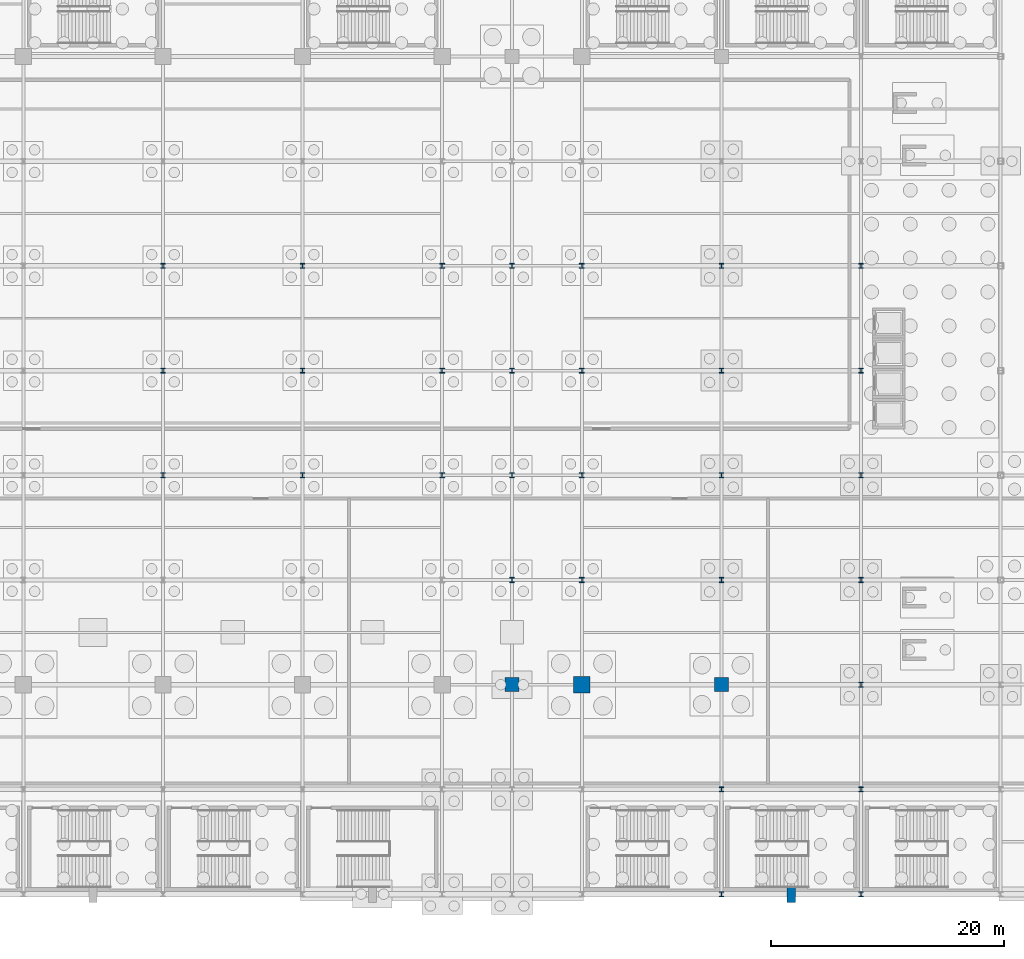
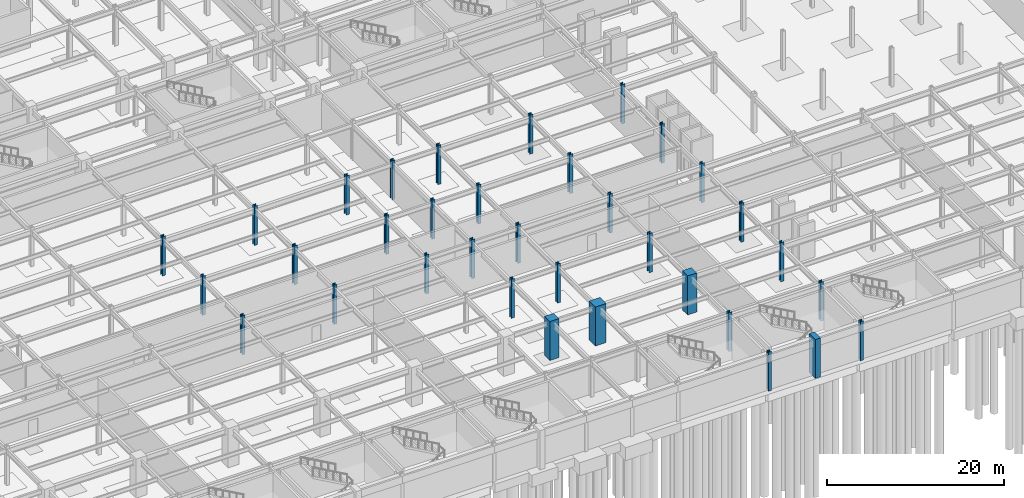
# One storey, part 12 of 47: 34 columns.
"""IFC4 building model written with IfcOpenShell, lengths in metres."""

import ifcopenshell
import ifcopenshell.guid

model = None  # the IFC model being written
_history = None  # IfcOwnerHistory: only IFC2X3 demands one
_inside = {}  # id of a spatial element -> (the spatial element, [elements in it])
_under = {}  # id of a project, library or spatial element -> (it, [spatial elements below it])
_declared = {}  # id of a project -> (the project, [libraries it declares])
_typed = {}  # id of a type object -> (the type object, [elements of that type])
_made_of = {}  # id of a material, layer set ... -> (it, [elements and type objects made of it])


def new_model(schema):
    """Start an empty IFC model of exactly this schema.

    Asked for "IFC4X3", IfcOpenShell would pick the latest addendum, in which some entities
    have other attributes; the version numbers below select the first issue.
    IFC2X3 requires an IfcOwnerHistory on every rooted entity: one is made here for all.
    """
    global model, _history
    if schema == "IFC4X3":
        model = ifcopenshell.file(schema_version=(4, 3, 0, 0))
    else:
        model = ifcopenshell.file(schema=schema)
    _inside.clear()
    _under.clear()
    _declared.clear()
    _typed.clear()
    _made_of.clear()
    _history = None
    if model.schema == "IFC2X3":
        org = make("IfcOrganization", Name="unknown")
        user = make(
            "IfcPersonAndOrganization",
            ThePerson=make("IfcPerson", FamilyName="unknown"),
            TheOrganization=org,
        )
        app = make(
            "IfcApplication",
            ApplicationDeveloper=org,
            Version="unknown",
            ApplicationFullName="unknown",
            ApplicationIdentifier="unknown",
        )
        _history = make(
            "IfcOwnerHistory",
            OwningUser=user,
            OwningApplication=app,
            ChangeAction="ADDED",
            CreationDate=0,
        )
    return model


def make(cls, **values):
    """One entity of the class cls with the attributes given. An attribute that is None is left unset."""
    return model.create_entity(
        cls, **{name: value for name, value in values.items() if value is not None}
    )


def rooted(cls, **values):
    """An entity with a GlobalId (a new one), such as an element, a storey or a relation."""
    return make(cls, GlobalId=ifcopenshell.guid.new(), OwnerHistory=_history, **values)


def si_unit(unit_type, name, prefix=None):
    """IfcSIUnit, for example si_unit("LENGTHUNIT", "METRE", prefix="MILLI")."""
    return make("IfcSIUnit", UnitType=unit_type, Prefix=prefix, Name=name)


def assignment(units):
    """IfcUnitAssignment: the units of a project."""
    return None if units is None else make("IfcUnitAssignment", Units=units)


def point(xyz):
    """IfcCartesianPoint."""
    return None if xyz is None else make("IfcCartesianPoint", Coordinates=xyz)


def direction(xyz):
    """IfcDirection."""
    return None if xyz is None else make("IfcDirection", DirectionRatios=xyz)


def frame(location, z_axis=None, x_axis=None):
    """IfcAxis2Placement3D, a coordinate frame: its origin and axes. An axis left out is left unset."""
    return make(
        "IfcAxis2Placement3D",
        Location=point(location),
        Axis=direction(z_axis),
        RefDirection=direction(x_axis),
    )


def frame_2d(location, x_axis=None):
    """IfcAxis2Placement2D, a coordinate frame in the plane: its origin and x axis."""
    return make(
        "IfcAxis2Placement2D", Location=point(location), RefDirection=direction(x_axis)
    )


def origin():
    """The frame at (0, 0, 0) with its axes left unset."""
    return frame((0.0, 0.0, 0.0))


def origin_2d():
    """The frame at (0, 0) in the plane with its x axis left unset."""
    return frame_2d((0.0, 0.0))


def place(relative_to, where):
    """IfcLocalPlacement: puts the frame where relative to a parent placement (None: the world)."""
    return make(
        "IfcLocalPlacement", PlacementRelTo=relative_to, RelativePlacement=where
    )


def context(
    kind, dimensions, precision=None, world=None, true_north=None, identifier=None
):
    """IfcGeometricRepresentationContext, for example the 3D "Model" context."""
    return make(
        "IfcGeometricRepresentationContext",
        ContextIdentifier=identifier,
        ContextType=kind,
        CoordinateSpaceDimension=dimensions,
        Precision=precision,
        WorldCoordinateSystem=world,
        TrueNorth=true_north,
    )


def subcontext(parent, identifier, kind, view, scale=None):
    """IfcGeometricRepresentationSubContext, for example "Body" below "Model"."""
    return make(
        "IfcGeometricRepresentationSubContext",
        ContextIdentifier=identifier,
        ContextType=kind,
        ParentContext=parent,
        TargetScale=scale,
        TargetView=view,
    )


def project(units=None, contexts=None):
    """IfcProject with its units and contexts."""
    return rooted(
        "IfcProject",
        Name="project",
        RepresentationContexts=contexts,
        UnitsInContext=assignment(units),
    )


def spatial(cls, under=None, at=None, **own):
    """A site, building, storey or space (cls), placed at a placement, below another one or the project."""
    s = rooted(cls, ObjectPlacement=at, **own)
    if under is not None:
        _under.setdefault(under.id(), (under, []))[1].append(s)
    return s


def profile(cls, at=None, kind="AREA", **sizes):
    """A parametric profile (cls). Its sizes go by their IFC names, for example OverallWidth=200.0."""
    return make(cls, ProfileType=kind, Position=at, **sizes)


def rectangle(**sizes):
    """IfcRectangleProfileDef."""
    return profile("IfcRectangleProfileDef", **sizes)


def i_section(**sizes):
    """IfcIShapeProfileDef."""
    return profile("IfcIShapeProfileDef", **sizes)


def extrude(swept, where, along, depth):
    """IfcExtrudedAreaSolid: the profile swept, set in the frame where, extruded along a direction by depth."""
    return make(
        "IfcExtrudedAreaSolid",
        SweptArea=swept,
        Position=where,
        ExtrudedDirection=direction(along),
        Depth=depth,
    )


def shape(context_of_items, identifier, shape_type, items):
    """IfcShapeRepresentation: the items that make up one representation, for example the "Body"."""
    return make(
        "IfcShapeRepresentation",
        ContextOfItems=context_of_items,
        RepresentationIdentifier=identifier,
        RepresentationType=shape_type,
        Items=items,
    )


def material(Name=None, Category=None):
    """IfcMaterial."""
    return make("IfcMaterial", Name=Name, Category=Category)


def material_profile(
    of_material, cross_section, Name=None, Category=None, Priority=None
):
    """IfcMaterialProfile: a cross section and its material."""
    return make(
        "IfcMaterialProfile",
        Name=Name,
        Material=of_material,
        Profile=cross_section,
        Priority=Priority,
        Category=Category,
    )


def profile_set(profiles, Name=None, composite=None):
    """IfcMaterialProfileSet."""
    return make(
        "IfcMaterialProfileSet",
        Name=Name,
        MaterialProfiles=profiles,
        CompositeProfile=composite,
    )


def made_of(thing, what):
    """Note that an element or type object is made of a material, layer set ...; save() writes the relation."""
    if what is not None:
        _made_of.setdefault(what.id(), (what, []))[1].append(thing)
    return thing


def type_object(cls, material=None, **own):
    """A type object (cls), such as IfcWallType, which elements share."""
    return made_of(rooted(cls, **own), material)


def element(
    cls,
    number,
    at=None,
    inside=None,
    cuts=None,
    type_object=None,
    material=None,
    context=None,
    identifier="Body",
    shape_type=None,
    held_by="IfcProductDefinitionShape",
    body=None,
    shapes=None,
    **own,
):
    """One element of the class cls, such as IfcWall. Its Tag is "e" and its number.

    at: its placement. inside: the storey or other place that contains it. cuts: it is an
    opening in that element (IfcRelVoidsElement). A single representation is given by context,
    identifier, shape_type and body (its items); several are given by shapes. held_by: the class
    of the entity that holds the representations. save() writes the other relations.
    """
    e = rooted(cls, Tag="e%d" % number, ObjectPlacement=at, **own)
    if body is not None:
        shapes = [shape(context, identifier, shape_type, body)]
    if shapes is not None:
        e.Representation = make(held_by, Representations=shapes)
    if inside is not None:
        _inside.setdefault(inside.id(), (inside, []))[1].append(e)
    if cuts is not None:
        rooted(
            "IfcRelVoidsElement", RelatingBuildingElement=cuts, RelatedOpeningElement=e
        )
    if type_object is not None:
        _typed.setdefault(type_object.id(), (type_object, []))[1].append(e)
    return made_of(e, material)


def aggregate(whole, parts):
    """IfcRelAggregates: a whole, such as a stair, and the parts it consists of."""
    return rooted("IfcRelAggregates", RelatingObject=whole, RelatedObjects=parts)


def save(model, path):
    """Write the relations noted so far, then the file.

    IfcRelAggregates (storeys below a building ...), IfcRelContainedInSpatialStructure (elements
    in a storey), IfcRelDefinesByType, IfcRelAssociatesMaterial and IfcRelDeclares: one each for
    every whole, place, type object, material and project.
    """
    for whole, parts in _under.values():
        aggregate(whole, parts)
    for where, things in _inside.values():
        rooted(
            "IfcRelContainedInSpatialStructure",
            RelatedElements=things,
            RelatingStructure=where,
        )
    for kind, things in _typed.values():
        rooted("IfcRelDefinesByType", RelatedObjects=things, RelatingType=kind)
    for what, things in _made_of.values():
        rooted("IfcRelAssociatesMaterial", RelatedObjects=things, RelatingMaterial=what)
    for by, libraries in _declared.values():
        rooted("IfcRelDeclares", RelatingContext=by, RelatedDefinitions=libraries)
    model.write(path)


model = new_model("IFC4")

# Units and contexts
model_context = context("Model", 3, precision=1e-05, world=origin(), true_north=direction((0.0, 1.0)))
body_context = subcontext(model_context, "Body", "Model", "MODEL_VIEW")
ifc_project = project(units=[si_unit("LENGTHUNIT", "METRE"), si_unit("AREAUNIT", "SQUARE_METRE"), si_unit("VOLUMEUNIT", "CUBIC_METRE"), si_unit("PLANEANGLEUNIT", "RADIAN"), si_unit("MASSUNIT", "GRAM", prefix="KILO")], contexts=[model_context])

# Site, building, storey
site_placement = place(None, origin())
site = spatial("IfcSite", under=ifc_project, at=site_placement, CompositionType="ELEMENT")
building_placement = place(site_placement, origin())
building = spatial("IfcBuilding", under=site, at=building_placement, Name="Kaldorvane Square Convention Centre", CompositionType="ELEMENT")
storey_placement = place(building_placement, frame((0.0, 0.0, -5.399993896484375)))
storey = spatial("IfcBuildingStorey", under=building, at=storey_placement, Name="B01", CompositionType="ELEMENT", Elevation=-5.399993896484375)

# Columns
ifc_material_1 = material(Name="Concrete f'c = 55 MPa (Normalweight)", Category="concrete")
ifc_material_profile_1 = material_profile(ifc_material_1, rectangle(XDim=1.1999969482421875, YDim=1.1999969482421875, at=origin_2d()), Name="RC1200X1200")
ifc_profile_set_1 = profile_set([ifc_material_profile_1], Name="Concrete f'c = 55 MPa (Normalweight)")
column_type_1 = type_object("IfcColumnType", Name="COL-MEGA-1200", PredefinedType="COLUMN", material=ifc_profile_set_1)
for number, where, z_axis, x_axis, name in (
    (1, (96.0, 18.0, 0.0), (0.0, 0.0, 1.0), (1.0, 0.0, 0.0), "Column MC-02 (B01)"),
    (2, (114.0, 18.0, 0.0), (0.0, 0.0, 1.0), (1.0, 0.0, 0.0), "Column MC-02 (B01)"),
):
    element("IfcColumn", number, at=place(storey_placement, frame(where, z_axis=z_axis, x_axis=x_axis)), inside=storey, type_object=column_type_1, Name=name, PredefinedType="COLUMN", context=body_context, shape_type="SweptSolid", body=[
        extrude(rectangle(XDim=1.1999969482421875, YDim=1.1999969482421875, at=origin_2d()), origin(), (0.0, 0.0, 1.0), 5.399993896484375),
    ])
ifc_material_profile_2 = material_profile(ifc_material_1, rectangle(XDim=1.399993896484375, YDim=1.399993896484375, at=origin_2d()), Name="RC1400X1400")
ifc_profile_set_2 = profile_set([ifc_material_profile_2], Name="Concrete f'c = 55 MPa (Normalweight)")
column_type_2 = type_object("IfcColumnType", Name="COL-MEGA-1400", PredefinedType="COLUMN", material=ifc_profile_set_2)
column_1_placement = place(storey_placement, frame((102.0, 18.0, 0.0), z_axis=(0.0, 0.0, 1.0), x_axis=(1.0, 0.0, 0.0)))
element("IfcColumn", 3, at=column_1_placement, inside=storey, type_object=column_type_2, Name="Column MC-01 (B01)", PredefinedType="COLUMN", context=body_context, shape_type="SweptSolid", body=[
    extrude(rectangle(XDim=1.399993896484375, YDim=1.399993896484375, at=origin_2d()), origin(), (0.0, 0.0, 1.0), 5.399993896484375),
])
ifc_material_2 = material(Name="Steel ASTM A992 Gr. 50", Category="steel")
ifc_material_profile_3 = material_profile(ifc_material_2, i_section(OverallWidth=0.412200927734375, OverallDepth=0.4347991943359375, WebThickness=0.035797119140625, FlangeThickness=0.057403564453125, FilletRadius=0.0305023193359375, at=origin_2d()), Name="W14X311")
ifc_profile_set_3 = profile_set([ifc_material_profile_3], Name="Steel ASTM A992 Gr. 50")
column_type_3 = type_object("IfcColumnType", Name="COL-STL-311", PredefinedType="COLUMN", material=ifc_profile_set_3)
for number, where, z_axis, x_axis, name in (
    (4, (66.0, 36.0, 0.0), (0.0, 0.0, 1.0), (1.0, 0.0, 0.0), "Column SC-06 (B01)"),
    (5, (66.0, 45.0, 0.0), (0.0, 0.0, 1.0), (1.0, 0.0, 0.0), "Column SC-06 (B01)"),
    (6, (66.0, 54.0, 0.0), (0.0, 0.0, 1.0), (1.0, 0.0, 0.0), "Column SC-06 (B01)"),
    (7, (78.0, 36.0, 0.0), (0.0, 0.0, 1.0), (1.0, 0.0, 0.0), "Column SC-06 (B01)"),
    (8, (78.0, 45.0, 0.0), (0.0, 0.0, 1.0), (1.0, 0.0, 0.0), "Column SC-06 (B01)"),
    (9, (78.0, 54.0, 0.0), (0.0, 0.0, 1.0), (1.0, 0.0, 0.0), "Column SC-06 (B01)"),
    (10, (90.0, 36.0, 0.0), (0.0, 0.0, 1.0), (1.0, 0.0, 0.0), "Column SC-06 (B01)"),
    (11, (90.0, 45.0, 0.0), (0.0, 0.0, 1.0), (1.0, 0.0, 0.0), "Column SC-06 (B01)"),
    (12, (90.0, 54.0, 0.0), (0.0, 0.0, 1.0), (1.0, 0.0, 0.0), "Column SC-06 (B01)"),
    (13, (96.0, 27.0, 0.0), (0.0, 0.0, 1.0), (1.0, 0.0, 0.0), "Column SC-06 (B01)"),
    (14, (96.0, 36.0, 0.0), (0.0, 0.0, 1.0), (1.0, 0.0, 0.0), "Column SC-06 (B01)"),
    (15, (96.0, 45.0, 0.0), (0.0, 0.0, 1.0), (1.0, 0.0, 0.0), "Column SC-06 (B01)"),
    (16, (96.0, 54.0, 0.0), (0.0, 0.0, 1.0), (1.0, 0.0, 0.0), "Column SC-06 (B01)"),
    (17, (102.0, 27.0, 0.0), (0.0, 0.0, 1.0), (1.0, 0.0, 0.0), "Column SC-06 (B01)"),
    (18, (102.0, 36.0, 0.0), (0.0, 0.0, 1.0), (1.0, 0.0, 0.0), "Column SC-06 (B01)"),
    (19, (102.0, 45.0, 0.0), (0.0, 0.0, 1.0), (1.0, 0.0, 0.0), "Column SC-06 (B01)"),
    (20, (102.0, 54.0, 0.0), (0.0, 0.0, 1.0), (1.0, 0.0, 0.0), "Column SC-06 (B01)"),
    (21, (114.0, 0.0, 0.0), (0.0, 0.0, 1.0), (1.0, 0.0, 0.0), "Column SC-06 (B01)"),
    (22, (114.0, 9.0, 0.0), (0.0, 0.0, 1.0), (1.0, 0.0, 0.0), "Column SC-06 (B01)"),
    (23, (114.0, 27.0, 0.0), (0.0, 0.0, 1.0), (1.0, 0.0, 0.0), "Column SC-06 (B01)"),
    (24, (114.0, 36.0, 0.0), (0.0, 0.0, 1.0), (1.0, 0.0, 0.0), "Column SC-06 (B01)"),
    (25, (114.0, 45.0, 0.0), (0.0, 0.0, 1.0), (1.0, 0.0, 0.0), "Column SC-06 (B01)"),
    (26, (114.0, 54.0, 0.0), (0.0, 0.0, 1.0), (1.0, 0.0, 0.0), "Column SC-06 (B01)"),
    (27, (126.0, 0.0, 0.0), (0.0, 0.0, 1.0), (1.0, 0.0, 0.0), "Column SC-06 (B01)"),
    (28, (126.0, 9.0, 0.0), (0.0, 0.0, 1.0), (1.0, 0.0, 0.0), "Column SC-06 (B01)"),
    (29, (126.0, 18.0, 0.0), (0.0, 0.0, 1.0), (1.0, 0.0, 0.0), "Column SC-06 (B01)"),
    (30, (126.0, 27.0, 0.0), (0.0, 0.0, 1.0), (1.0, 0.0, 0.0), "Column SC-06 (B01)"),
    (31, (126.0, 36.0, 0.0), (0.0, 0.0, 1.0), (1.0, 0.0, 0.0), "Column SC-06 (B01)"),
    (32, (126.0, 45.0, 0.0), (0.0, 0.0, 1.0), (1.0, 0.0, 0.0), "Column SC-06 (B01)"),
    (33, (126.0, 54.0, 0.0), (0.0, 0.0, 1.0), (1.0, 0.0, 0.0), "Column SC-06 (B01)"),
):
    element("IfcColumn", number, at=place(storey_placement, frame(where, z_axis=z_axis, x_axis=x_axis)), inside=storey, type_object=column_type_3, Name=name, PredefinedType="COLUMN", context=body_context, shape_type="SweptSolid", body=[
        extrude(i_section(OverallWidth=0.412200927734375, OverallDepth=0.4347991943359375, WebThickness=0.035797119140625, FlangeThickness=0.057403564453125, FilletRadius=0.0305023193359375, at=origin_2d()), origin(), (0.0, 0.0, 1.0), 5.399993896484375),
    ])
ifc_material_profile_4 = material_profile(ifc_material_1, rectangle(XDim=0.6999969482421875, YDim=1.399993896484375, at=origin_2d()), Name="PIL1400X700")
ifc_profile_set_4 = profile_set([ifc_material_profile_4], Name="Concrete f'c = 55 MPa (Normalweight)")
column_type_4 = type_object("IfcColumnType", Name="PIL-BRUT-1400", PredefinedType="PILASTER", material=ifc_profile_set_4)
column_2_placement = place(storey_placement, frame((120.0, 0.0, 0.0), z_axis=(0.0, 0.0, 1.0), x_axis=(1.0, 0.0, 0.0)))
element("IfcColumn", 34, at=column_2_placement, inside=storey, type_object=column_type_4, Name="Brutalist Colonnade Pilaster (B01)", PredefinedType="PILASTER", context=body_context, shape_type="SweptSolid", body=[
    extrude(rectangle(XDim=0.6999969482421875, YDim=1.399993896484375, at=origin_2d()), origin(), (0.0, 0.0, 1.0), 5.399993896484375),
])

save(model, "model.ifc")
